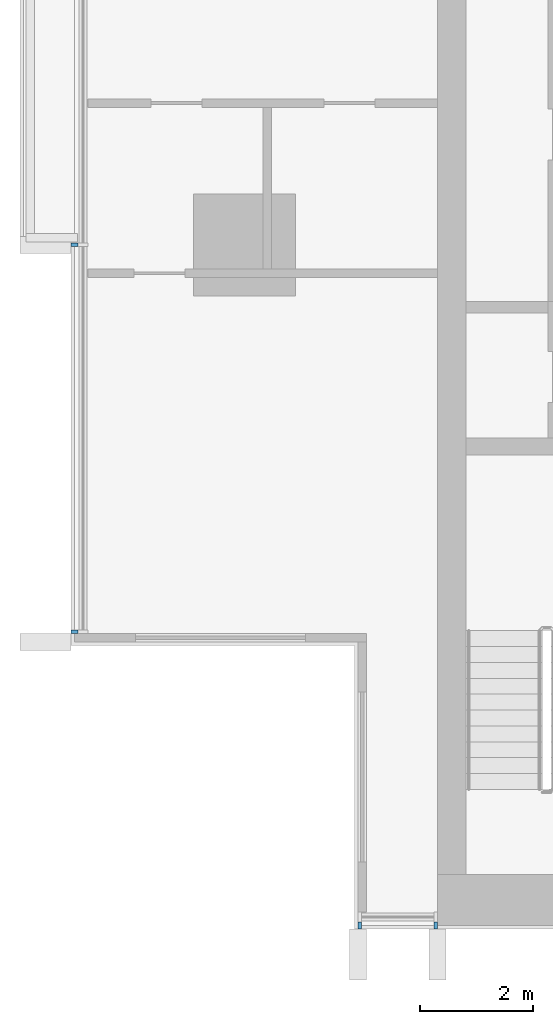
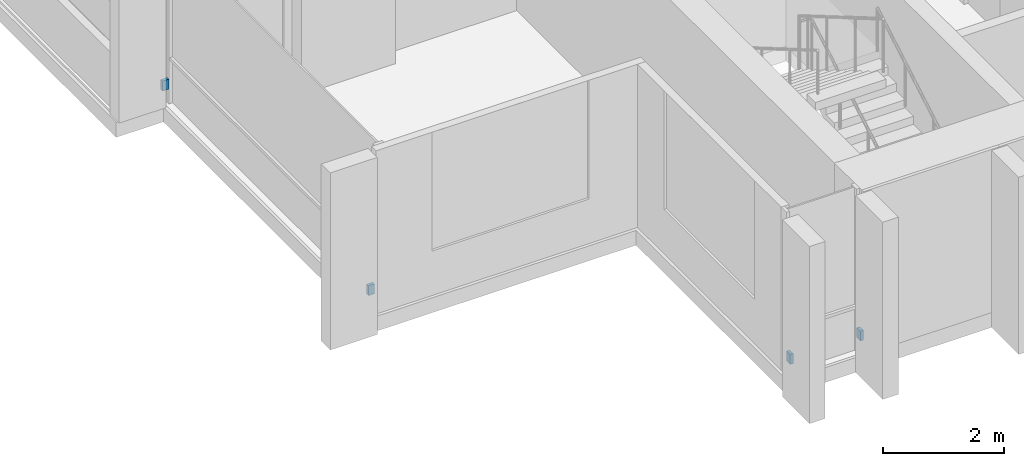
# One storey, part 11 of 15: 4 discrete accessories.
"""IFC4 building model written with IfcOpenShell, lengths in metres."""

from ifc_helpers import new_model, si_unit, direction, frame, origin, origin_2d, place, context, subcontext, project, spatial, rectangle, extrude, material, type_object, element, save


model = new_model("IFC4")

# Units and contexts
model_context = context("Model", 3, precision=1e-05, world=origin(), true_north=direction((0.0, 1.0)))
body_context = subcontext(model_context, "Body", "Model", "MODEL_VIEW")
ifc_project = project(units=[si_unit("LENGTHUNIT", "METRE"), si_unit("AREAUNIT", "SQUARE_METRE"), si_unit("VOLUMEUNIT", "CUBIC_METRE"), si_unit("PLANEANGLEUNIT", "RADIAN"), si_unit("MASSUNIT", "GRAM", prefix="KILO")], contexts=[model_context])

# Site, building, storey
site_placement = place(None, origin())
site = spatial("IfcSite", under=ifc_project, at=site_placement, CompositionType="ELEMENT")
building_placement = place(site_placement, origin())
building = spatial("IfcBuilding", under=site, at=building_placement, Name="Finial Court Residences", CompositionType="ELEMENT")
storey_placement = place(building_placement, frame((0.0, 0.0, 269.89990234375)))
storey = spatial("IfcBuildingStorey", under=building, at=storey_placement, Name="L68", CompositionType="ELEMENT", Elevation=269.89990234375)

# Discrete accessories
ifc_material = material(Name="Stainless steel 316", Category="steel")
discrete_accessory_type = type_object("IfcDiscreteAccessoryType", Name="Fin bracket, stainless steel 60 x 122 x 200", PredefinedType="BRACKET", material=ifc_material)
for number, where, z_axis, x_axis, name in (
    (1, (-14.469970703125, -25.498779296875, 0.30029296875), (0.0, 0.0, 1.0), (1.0, 0.0, 0.0), "E-L68-FIN-S13-BRK"),
    (2, (-13.1298828125, -25.498779296875, 0.30029296875), (0.0, 0.0, 1.0), (1.0, 0.0, 0.0), "E-L68-FIN-S14-BRK"),
):
    element("IfcDiscreteAccessory", number, at=place(storey_placement, frame(where, z_axis=z_axis, x_axis=x_axis)), inside=storey, type_object=discrete_accessory_type, Name=name, PredefinedType="BRACKET", context=body_context, shape_type="SweptSolid", body=[
        extrude(rectangle(XDim=0.06005859375, YDim=0.12255859375, at=origin_2d()), origin(), (0.0, 0.0, 1.0), 0.199951171875),
    ])
for number, where, z_axis, x_axis, name in (
    (3, (-19.498779296875, -20.320068359375, 0.30029296875), (0.0, 0.0, 1.0), (1.0, 0.0, 0.0), "E-L68-FIN-W21-BRK"),
    (4, (-19.498779296875, -13.5, 0.30029296875), (0.0, 0.0, 1.0), (1.0, 0.0, 0.0), "E-L68-FIN-W22-BRK"),
):
    element("IfcDiscreteAccessory", number, at=place(storey_placement, frame(where, z_axis=z_axis, x_axis=x_axis)), inside=storey, type_object=discrete_accessory_type, Name=name, PredefinedType="BRACKET", context=body_context, shape_type="SweptSolid", body=[
        extrude(rectangle(XDim=0.12255859375, YDim=0.06005859375, at=origin_2d()), origin(), (0.0, 0.0, 1.0), 0.199951171875),
    ])

save(model, "model.ifc")
